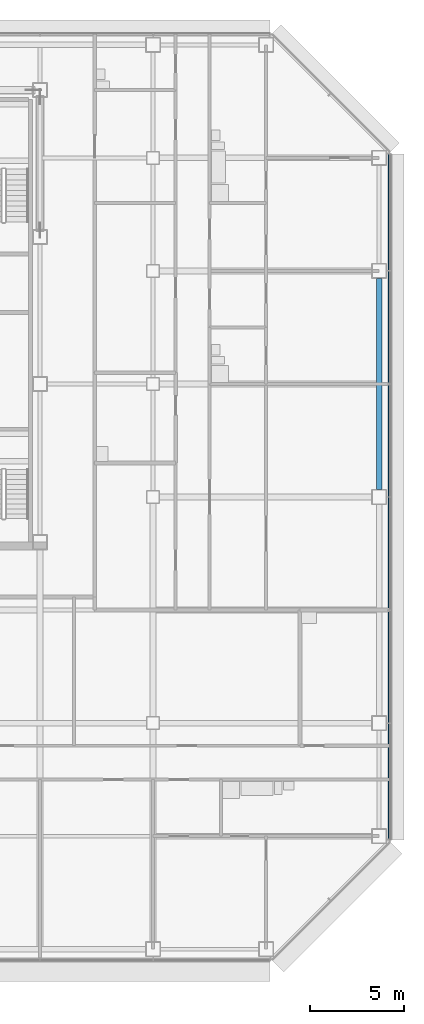
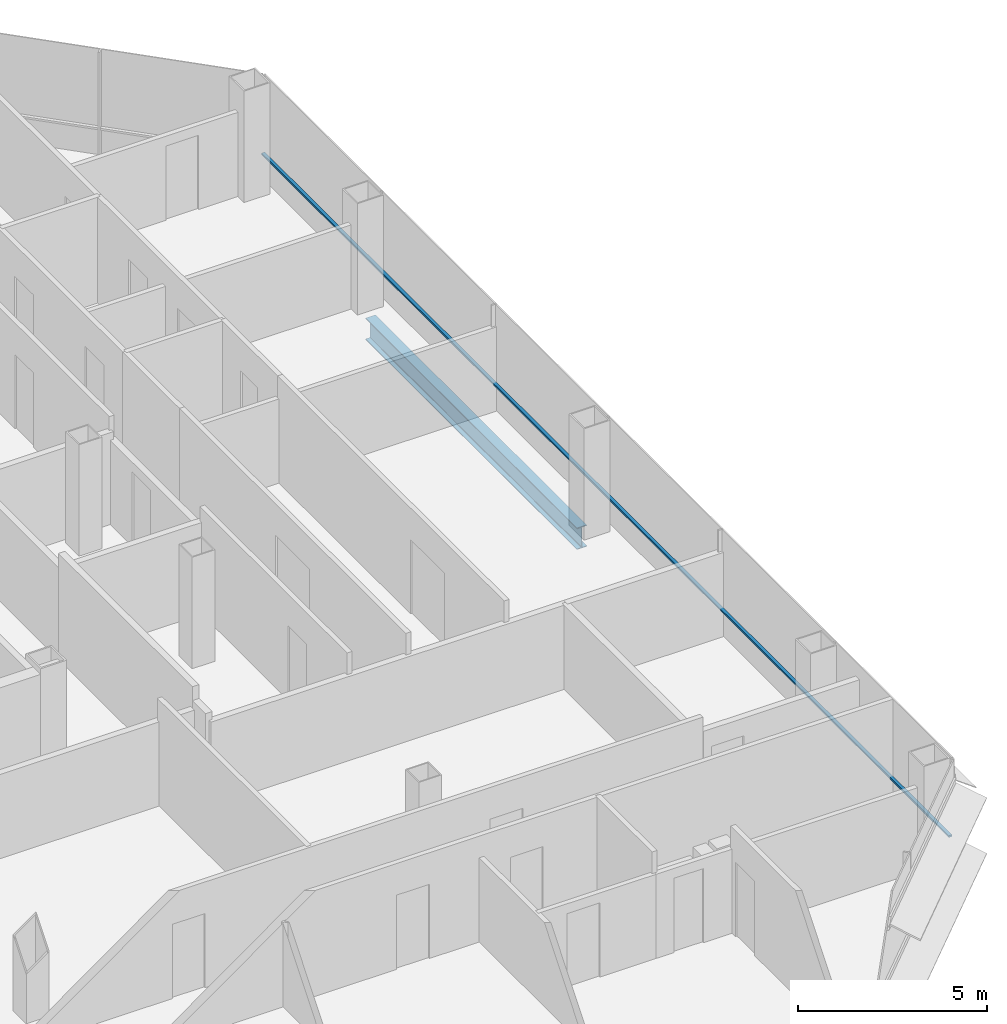
# One storey, part 16 of 25: 1 beam, 1 member, 1 element without a shape of its own.
"""IFC4 building model written with IfcOpenShell, lengths in metres."""

from ifc_helpers import new_model, si_unit, direction, frame, origin, origin_2d, place, context, subcontext, project, spatial, rectangle, i_section, extrude, material, material_profile, profile_set, type_object, element, aggregate, save


model = new_model("IFC4")

# Units and contexts
model_context = context("Model", 3, precision=1e-05, world=origin(), true_north=direction((0.0, 1.0)))
body_context = subcontext(model_context, "Body", "Model", "MODEL_VIEW")
ifc_project = project(units=[si_unit("LENGTHUNIT", "METRE"), si_unit("AREAUNIT", "SQUARE_METRE"), si_unit("VOLUMEUNIT", "CUBIC_METRE"), si_unit("PLANEANGLEUNIT", "RADIAN"), si_unit("MASSUNIT", "GRAM", prefix="KILO")], contexts=[model_context])

# Site, building, storey
site_placement = place(None, origin())
site = spatial("IfcSite", under=ifc_project, at=site_placement, CompositionType="ELEMENT")
building_placement = place(site_placement, origin())
building = spatial("IfcBuilding", under=site, at=building_placement, Name="Sorahane Residences", CompositionType="ELEMENT")
storey_placement = place(building_placement, frame((0.0, 0.0, 143.800048828125)))
storey = spatial("IfcBuildingStorey", under=building, at=storey_placement, Name="L32", CompositionType="ELEMENT", Elevation=143.800048828125)

# Curtain wall, member
ifc_material_1 = material(Name="Dark low-e glass and black anodised aluminium", Category="aluminium")
curtain_wall_type = type_object("IfcCurtainWallType", Name="Curtain wall CW-1 Typical unitised wall", PredefinedType="NOTDEFINED", material=ifc_material_1)
curtain_wall_placement = place(storey_placement, origin())
curtain_wall = element("IfcCurtainWall", 1, at=curtain_wall_placement, inside=storey, type_object=curtain_wall_type, Name="CW-1 curtain wall L32 E1", PredefinedType="NOTDEFINED")
ifc_material_2 = material(Name="Black anodised aluminium", Category="aluminium")
ifc_material_profile_1 = material_profile(ifc_material_2, rectangle(XDim=0.10009765625, YDim=0.06005859375, at=origin_2d()), Name="Curtain wall transom CW-1 black anodised aluminium 60x100")
ifc_profile_set_1 = profile_set([ifc_material_profile_1], Name="Black anodised aluminium")
member_type = type_object("IfcMemberType", Name="Curtain wall transom CW-1 black anodised aluminium 60x100", PredefinedType="USERDEFINED", material=ifc_profile_set_1)
member_placement = place(storey_placement, frame((60.530029296875, 5.801513671875, 0.89990234375), z_axis=(0.0, 1.0, 0.0), x_axis=(-1.0, 0.0, 0.0)))
member = element("IfcMember", 2, at=member_placement, type_object=member_type, Name="CW-1 transom L32 E1", ObjectType="TRANSOM", PredefinedType="USERDEFINED", context=body_context, shape_type="SweptSolid", body=[
    extrude(rectangle(XDim=0.10009765625, YDim=0.06005859375, at=origin_2d()), origin(), (0.0, 0.0, 1.0), 36.39697265625),
])
aggregate(curtain_wall, [member])

# Beam
ifc_material_3 = material(Name="Steel Q355B", Category="steel")
ifc_material_profile_2 = material_profile(ifc_material_3, i_section(OverallWidth=0.300048828125, OverallDepth=0.699951171875, WebThickness=0.012939453125, FlangeThickness=0.02392578125, FilletRadius=0.028076171875, at=origin_2d()), Name="HN 700x300x13x24")
ifc_profile_set_2 = profile_set([ifc_material_profile_2], Name="Steel Q355B")
beam_type = type_object("IfcBeamType", Name="Steel floor beam HN 700x300x13x24 Q355B", PredefinedType="BEAM", material=ifc_profile_set_2)
beam_placement = place(storey_placement, frame((60.0, 24.39990234375, -0.530029296875), z_axis=(0.0, 1.0, 0.0), x_axis=(-1.0, 0.0, 0.0)))
element("IfcBeam", 3, at=beam_placement, inside=storey, type_object=beam_type, Name="Beam L32 066", PredefinedType="BEAM", context=body_context, shape_type="SweptSolid", body=[
    extrude(i_section(OverallWidth=0.300048828125, OverallDepth=0.699951171875, WebThickness=0.012939453125, FlangeThickness=0.02392578125, FilletRadius=0.028076171875, at=origin_2d()), origin(), (0.0, 0.0, 1.0), 11.2001953125),
])

save(model, "model.ifc")
